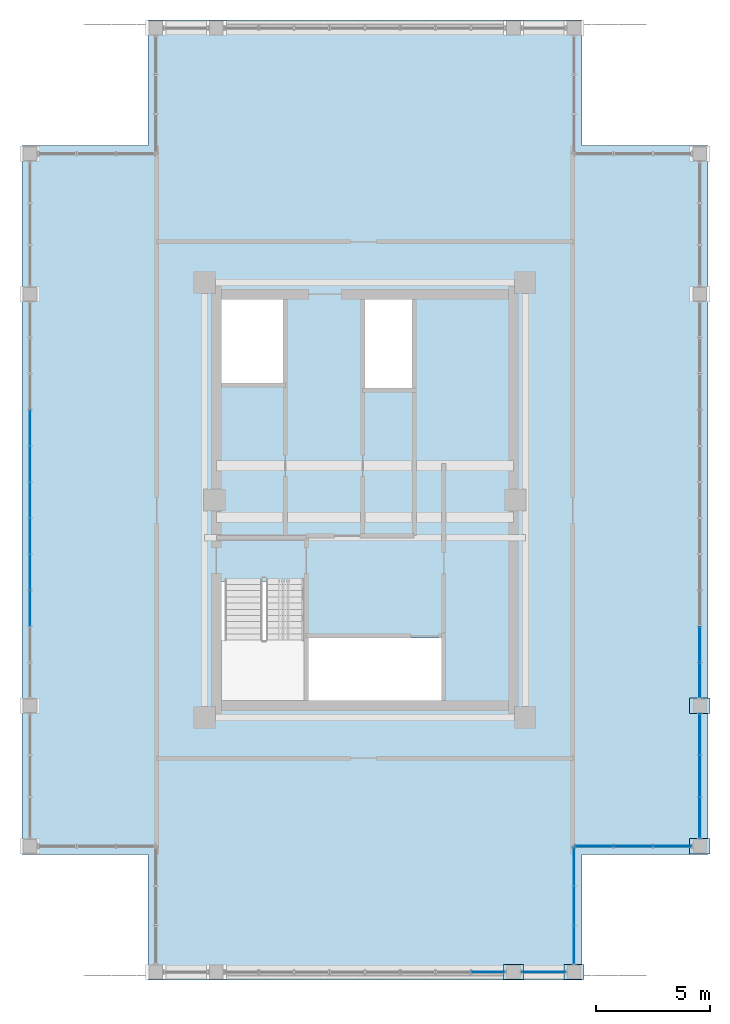
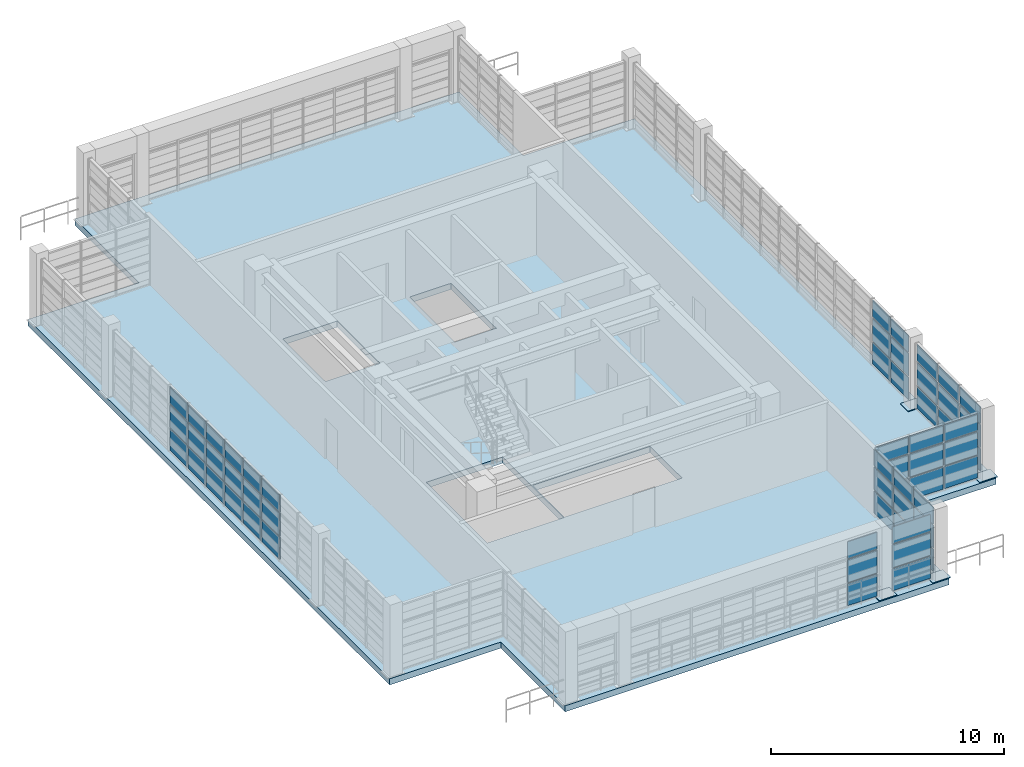
# One storey, part 17 of 24: 61 plates, 1 slab, 7 elements without a shape of their own.
"""IFC4 building model written with IfcOpenShell, lengths in metres."""

from ifc_helpers import new_model, si_unit, direction, frame, origin, origin_2d, place, context, subcontext, project, spatial, polyline, rectangle, outline, extrude, source, transform, mapped, material, layer, layer_set, type_object, element, aggregate, save


model = new_model("IFC4")

# Units and contexts
model_context = context("Model", 3, precision=1e-05, world=origin(), true_north=direction((0.0, 1.0)))
body_context = subcontext(model_context, "Body", "Model", "MODEL_VIEW")
ifc_project = project(units=[si_unit("LENGTHUNIT", "METRE"), si_unit("AREAUNIT", "SQUARE_METRE"), si_unit("VOLUMEUNIT", "CUBIC_METRE"), si_unit("PLANEANGLEUNIT", "RADIAN"), si_unit("MASSUNIT", "GRAM", prefix="KILO")], contexts=[model_context])

# Site, building, storey
site_placement = place(None, origin())
site = spatial("IfcSite", under=ifc_project, at=site_placement, CompositionType="ELEMENT")
building_placement = place(site_placement, origin())
building = spatial("IfcBuilding", under=site, at=building_placement, Name="Saelheon Loggia Tower", CompositionType="ELEMENT")
storey_placement = place(building_placement, frame((0.0, 0.0, 252.199951171875)))
storey = spatial("IfcBuildingStorey", under=building, at=storey_placement, Name="CR1", CompositionType="ELEMENT", Elevation=252.199951171875)

# Slab
ifc_material_1 = material(Name="Concrete C45/55", Category="concrete")
ifc_layer_1 = layer(ifc_material_1, 0.320068359375)
ifc_layer_set_1 = layer_set([ifc_layer_1], Name="Concrete C45/55")
slab_type = type_object("IfcSlabType", Name="Slab_CrownPlant_320", PredefinedType="FLOOR", material=ifc_layer_set_1)
slab_placement = place(storey_placement, frame((0.0, 0.0, -0.320068359375)))
element("IfcSlab", 1, at=slab_placement, inside=storey, type_object=slab_type, Name="CR1 Main Tower Roof and Crown Plant Deck", PredefinedType="FLOOR", context=body_context, shape_type="SweptSolid", body=[
    extrude(outline(polyline([(28.5, 6.0), (47.5, 6.0), (47.5, 11.5), (53.0, 11.5), (53.0, 42.5), (47.5, 42.5), (47.5, 48.0), (28.5, 48.0), (28.5, 42.5), (23.0, 42.5), (23.0, 11.5), (28.5, 11.5), (28.5, 6.0)]), holes=[polyline([(31.699951171875, 23.429931640625), (31.699951171875, 18.199951171875), (35.47998046875, 18.199951171875), (35.47998046875, 23.429931640625), (31.699951171875, 23.429931640625)]), polyline([(35.530029296875, 18.22509765625), (41.35009765625, 18.22509765625), (41.35009765625, 20.9599609375), (35.530029296875, 20.9599609375), (35.530029296875, 18.22509765625)]), polyline([(31.72509765625, 32.1201171875), (34.419921875, 32.1201171875), (34.419921875, 35.77490234375), (31.72509765625, 35.77490234375), (31.72509765625, 32.1201171875)]), polyline([(38.0, 31.89990234375), (40.050048828125, 31.89990234375), (40.050048828125, 35.77490234375), (38.0, 35.77490234375), (38.0, 31.89990234375)])]), origin(), (0.0, 0.0, 1.0), 0.320068359375),
])

# Plates
ifc_material_2 = material(Name="Steel SM355", Category="steel")
ifc_layer_2 = layer(ifc_material_2, 0.035888671875)
ifc_layer_set_2 = layer_set([ifc_layer_2], Name="Steel SM355")
plate_type_1 = type_object("IfcPlateType", Name="CrownFrame_BasePlate_BP1", PredefinedType="USERDEFINED", material=ifc_layer_set_2)
shared_shape_1 = source(origin(), body_context, "Body", "SweptSolid", [
    extrude(rectangle(XDim=0.8798828125, YDim=0.659912109375, at=origin_2d()), origin(), (0.0, 0.0, 1.0), 0.035888671875),
])
for number, where, z_axis, x_axis, name in (
    (2, (44.5, 6.35009765625, 0.0), (0.0, 0.0, 1.0), (1.0, 0.0, 0.0), "CROWN FRAME Column Base Plate TP-SB"),
    (3, (47.14990234375, 6.35009765625, 0.0), (0.0, 0.0, 1.0), (1.0, 0.0, 0.0), "CROWN FRAME Column Base Plate TP-S2"),
    (4, (52.64990234375, 11.85009765625, 0.0), (0.0, 0.0, 1.0), (1.0, 0.0, 0.0), "CROWN FRAME Column Base Plate TP-E1"),
    (5, (52.64990234375, 18.0, 0.0), (0.0, 0.0, 1.0), (1.0, 0.0, 0.0), "CROWN FRAME Column Base Plate TP-EA"),
):
    element("IfcPlate", number, at=place(storey_placement, frame(where, z_axis=z_axis, x_axis=x_axis)), inside=storey, type_object=plate_type_1, Name=name, ObjectType="BASE_PLATE", PredefinedType="USERDEFINED", context=body_context, shape_type="MappedRepresentation", body=[
        mapped(shared_shape_1, transform((0.0, 0.0, 0.0), scale=1.0)),
    ])

# Curtain wall, plates
ifc_material_3 = material(Name="Bronze-Anodised Aluminium and Fritted Ceramic Screen", Category="aluminium")
ifc_layer_3 = layer(ifc_material_3, 0.219970703125)
ifc_layer_set_3 = layer_set([ifc_layer_3], Name="Bronze-Anodised Aluminium and Fritted Ceramic Screen")
curtain_wall_type = type_object("IfcCurtainWallType", Name="CW_CrownScreen", PredefinedType="NOTDEFINED", material=ifc_layer_set_3)
curtain_wall_1_placement = place(storey_placement, origin())
curtain_wall_1 = element("IfcCurtainWall", 6, at=curtain_wall_1_placement, inside=storey, type_object=curtain_wall_type, Name="CR1 Crown Screen Curtain Wall 0-3", PredefinedType="NOTDEFINED")
ifc_material_4 = material(Name="Bronze Ceramic Fritted Spandrel Panel", Category="aluminium")
ifc_layer_4 = layer(ifc_material_4, 0.0380859375)
ifc_layer_set_4 = layer_set([ifc_layer_4], Name="Bronze Ceramic Fritted Spandrel Panel")
plate_type_2 = type_object("IfcPlateType", Name="CW_CrownScreen_Panel", PredefinedType="CURTAIN_PANEL", material=ifc_layer_set_4)
shared_shape_2 = source(origin(), body_context, "Body", "SweptSolid", [
    extrude(rectangle(XDim=1.889892578125, YDim=0.0380859375, at=origin_2d()), origin(), (0.0, 0.0, 1.0), 1.14501953125),
])
plate_1_placement = place(storey_placement, frame((45.824951171875, 6.35009765625, 0.070068359375), z_axis=(0.0, 0.0, 1.0), x_axis=(1.0, 0.0, 0.0)))
plate_1 = element("IfcPlate", 7, at=plate_1_placement, type_object=plate_type_2, Name="CW6 panel 1.1", PredefinedType="CURTAIN_PANEL", context=body_context, shape_type="MappedRepresentation", body=[
    mapped(shared_shape_2, transform((0.0, 0.0, 0.0), scale=1.0)),
])
shared_shape_3 = source(origin(), body_context, "Body", "SweptSolid", [
    extrude(rectangle(XDim=1.889892578125, YDim=0.0380859375, at=origin_2d()), origin(), (0.0, 0.0, 1.0), 1.179931640625),
])
plate_2_placement = place(storey_placement, frame((45.824951171875, 6.35009765625, 1.28515625), z_axis=(0.0, 0.0, 1.0), x_axis=(1.0, 0.0, 0.0)))
plate_2 = element("IfcPlate", 8, at=plate_2_placement, type_object=plate_type_2, Name="CW6 panel 1.2", PredefinedType="CURTAIN_PANEL", context=body_context, shape_type="MappedRepresentation", body=[
    mapped(shared_shape_3, transform((0.0, 0.0, 0.0), scale=1.0)),
])
shared_shape_4 = source(origin(), body_context, "Body", "SweptSolid", [
    extrude(rectangle(XDim=1.889892578125, YDim=0.0380859375, at=origin_2d()), origin(), (0.0, 0.0, 1.0), 0.875),
])
plate_3_placement = place(storey_placement, frame((45.824951171875, 6.35009765625, 2.53515625), z_axis=(0.0, 0.0, 1.0), x_axis=(1.0, 0.0, 0.0)))
plate_3 = element("IfcPlate", 9, at=plate_3_placement, type_object=plate_type_2, Name="CW6 panel 1.3", PredefinedType="CURTAIN_PANEL", context=body_context, shape_type="MappedRepresentation", body=[
    mapped(shared_shape_4, transform((0.0, 0.0, 0.0), scale=1.0)),
])
aggregate(curtain_wall_1, [plate_1, plate_2, plate_3])

curtain_wall_2_placement = place(storey_placement, origin())
curtain_wall_2 = element("IfcCurtainWall", 10, at=curtain_wall_2_placement, inside=storey, type_object=curtain_wall_type, Name="CR1 Crown Screen Curtain Wall 0-2", PredefinedType="NOTDEFINED")
shared_shape_5 = source(origin(), body_context, "Body", "SweptSolid", [
    extrude(rectangle(XDim=1.4423828125, YDim=0.0380859375, at=origin_2d()), origin(), (0.0, 0.0, 1.0), 1.14501953125),
])
plate_4_placement = place(storey_placement, frame((43.398681640625, 6.35009765625, 0.070068359375), z_axis=(0.0, 0.0, 1.0), x_axis=(1.0, 0.0, 0.0)))
plate_4 = element("IfcPlate", 11, at=plate_4_placement, type_object=plate_type_2, Name="CW6 panel 8.1", PredefinedType="CURTAIN_PANEL", context=body_context, shape_type="MappedRepresentation", body=[
    mapped(shared_shape_5, transform((0.0, 0.0, 0.0), scale=1.0)),
])
shared_shape_6 = source(origin(), body_context, "Body", "SweptSolid", [
    extrude(rectangle(XDim=1.4423828125, YDim=0.0380859375, at=origin_2d()), origin(), (0.0, 0.0, 1.0), 1.179931640625),
])
plate_5_placement = place(storey_placement, frame((43.398681640625, 6.35009765625, 1.28515625), z_axis=(0.0, 0.0, 1.0), x_axis=(1.0, 0.0, 0.0)))
plate_5 = element("IfcPlate", 12, at=plate_5_placement, type_object=plate_type_2, Name="CW6 panel 8.2", PredefinedType="CURTAIN_PANEL", context=body_context, shape_type="MappedRepresentation", body=[
    mapped(shared_shape_6, transform((0.0, 0.0, 0.0), scale=1.0)),
])
shared_shape_7 = source(origin(), body_context, "Body", "SweptSolid", [
    extrude(rectangle(XDim=1.4423828125, YDim=0.0380859375, at=origin_2d()), origin(), (0.0, 0.0, 1.0), 0.875),
])
plate_6_placement = place(storey_placement, frame((43.398681640625, 6.35009765625, 2.53515625), z_axis=(0.0, 0.0, 1.0), x_axis=(1.0, 0.0, 0.0)))
plate_6 = element("IfcPlate", 13, at=plate_6_placement, type_object=plate_type_2, Name="CW6 panel 8.3", PredefinedType="CURTAIN_PANEL", context=body_context, shape_type="MappedRepresentation", body=[
    mapped(shared_shape_7, transform((0.0, 0.0, 0.0), scale=1.0)),
])
aggregate(curtain_wall_2, [plate_4, plate_5, plate_6])

curtain_wall_3_placement = place(storey_placement, origin())
curtain_wall_3 = element("IfcCurtainWall", 14, at=curtain_wall_3_placement, inside=storey, type_object=curtain_wall_type, Name="CR1 Crown Screen Curtain Wall 1-1", PredefinedType="NOTDEFINED")
shared_shape_8 = source(origin(), body_context, "Body", "SweptSolid", [
    extrude(rectangle(XDim=1.625, YDim=0.0380859375, at=origin_2d()), origin(), (0.0, 0.0, 1.0), 1.14501953125),
])
plate_7_placement = place(storey_placement, frame((47.14990234375, 7.54248046875, 0.070068359375), z_axis=(0.0, 0.0, 1.0), x_axis=(0.0, 1.0, 0.0)))
plate_7 = element("IfcPlate", 15, at=plate_7_placement, type_object=plate_type_2, Name="CW6 panel 1.1", PredefinedType="CURTAIN_PANEL", context=body_context, shape_type="MappedRepresentation", body=[
    mapped(shared_shape_8, transform((0.0, 0.0, 0.0), scale=1.0)),
])
plate_8_placement = place(storey_placement, frame((47.14990234375, 10.967529296875, 0.070068359375), z_axis=(0.0, 0.0, 1.0), x_axis=(0.0, 1.0, 0.0)))
plate_8 = element("IfcPlate", 16, at=plate_8_placement, type_object=plate_type_2, Name="CW6 panel 3.1", PredefinedType="CURTAIN_PANEL", context=body_context, shape_type="MappedRepresentation", body=[
    mapped(shared_shape_8, transform((0.0, 0.0, 0.0), scale=1.0)),
])

curtain_wall_4_placement = place(storey_placement, origin())
curtain_wall_4 = element("IfcCurtainWall", 17, at=curtain_wall_4_placement, inside=storey, type_object=curtain_wall_type, Name="CR1 Crown Screen Curtain Wall 2-1", PredefinedType="NOTDEFINED")
plate_9_placement = place(storey_placement, frame((48.032470703125, 11.85009765625, 0.070068359375), z_axis=(0.0, 0.0, 1.0), x_axis=(1.0, 0.0, 0.0)))
plate_9 = element("IfcPlate", 18, at=plate_9_placement, type_object=plate_type_2, Name="CW6 panel 1.1", PredefinedType="CURTAIN_PANEL", context=body_context, shape_type="MappedRepresentation", body=[
    mapped(shared_shape_8, transform((0.0, 0.0, 0.0), scale=1.0)),
])
plate_10_placement = place(storey_placement, frame((51.45751953125, 11.85009765625, 0.070068359375), z_axis=(0.0, 0.0, 1.0), x_axis=(1.0, 0.0, 0.0)))
plate_10 = element("IfcPlate", 19, at=plate_10_placement, type_object=plate_type_2, Name="CW6 panel 3.1", PredefinedType="CURTAIN_PANEL", context=body_context, shape_type="MappedRepresentation", body=[
    mapped(shared_shape_8, transform((0.0, 0.0, 0.0), scale=1.0)),
])

# Plate
shared_shape_9 = source(origin(), body_context, "Body", "SweptSolid", [
    extrude(rectangle(XDim=1.625, YDim=0.0380859375, at=origin_2d()), origin(), (0.0, 0.0, 1.0), 1.179931640625),
])
plate_11_placement = place(storey_placement, frame((47.14990234375, 7.54248046875, 1.28515625), z_axis=(0.0, 0.0, 1.0), x_axis=(0.0, 1.0, 0.0)))
plate_11 = element("IfcPlate", 20, at=plate_11_placement, type_object=plate_type_2, Name="CW6 panel 1.2", PredefinedType="CURTAIN_PANEL", context=body_context, shape_type="MappedRepresentation", body=[
    mapped(shared_shape_9, transform((0.0, 0.0, 0.0), scale=1.0)),
])

plate_12_placement = place(storey_placement, frame((47.14990234375, 10.967529296875, 1.28515625), z_axis=(0.0, 0.0, 1.0), x_axis=(0.0, 1.0, 0.0)))
plate_12 = element("IfcPlate", 21, at=plate_12_placement, type_object=plate_type_2, Name="CW6 panel 3.2", PredefinedType="CURTAIN_PANEL", context=body_context, shape_type="MappedRepresentation", body=[
    mapped(shared_shape_9, transform((0.0, 0.0, 0.0), scale=1.0)),
])

plate_13_placement = place(storey_placement, frame((48.032470703125, 11.85009765625, 1.28515625), z_axis=(0.0, 0.0, 1.0), x_axis=(1.0, 0.0, 0.0)))
plate_13 = element("IfcPlate", 22, at=plate_13_placement, type_object=plate_type_2, Name="CW6 panel 1.2", PredefinedType="CURTAIN_PANEL", context=body_context, shape_type="MappedRepresentation", body=[
    mapped(shared_shape_9, transform((0.0, 0.0, 0.0), scale=1.0)),
])

plate_14_placement = place(storey_placement, frame((51.45751953125, 11.85009765625, 1.28515625), z_axis=(0.0, 0.0, 1.0), x_axis=(1.0, 0.0, 0.0)))
plate_14 = element("IfcPlate", 23, at=plate_14_placement, type_object=plate_type_2, Name="CW6 panel 3.2", PredefinedType="CURTAIN_PANEL", context=body_context, shape_type="MappedRepresentation", body=[
    mapped(shared_shape_9, transform((0.0, 0.0, 0.0), scale=1.0)),
])

shared_shape_10 = source(origin(), body_context, "Body", "SweptSolid", [
    extrude(rectangle(XDim=1.625, YDim=0.0380859375, at=origin_2d()), origin(), (0.0, 0.0, 1.0), 0.875),
])
plate_15_placement = place(storey_placement, frame((47.14990234375, 7.54248046875, 2.53515625), z_axis=(0.0, 0.0, 1.0), x_axis=(0.0, 1.0, 0.0)))
plate_15 = element("IfcPlate", 24, at=plate_15_placement, type_object=plate_type_2, Name="CW6 panel 1.3", PredefinedType="CURTAIN_PANEL", context=body_context, shape_type="MappedRepresentation", body=[
    mapped(shared_shape_10, transform((0.0, 0.0, 0.0), scale=1.0)),
])

plate_16_placement = place(storey_placement, frame((47.14990234375, 10.967529296875, 2.53515625), z_axis=(0.0, 0.0, 1.0), x_axis=(0.0, 1.0, 0.0)))
plate_16 = element("IfcPlate", 25, at=plate_16_placement, type_object=plate_type_2, Name="CW6 panel 3.3", PredefinedType="CURTAIN_PANEL", context=body_context, shape_type="MappedRepresentation", body=[
    mapped(shared_shape_10, transform((0.0, 0.0, 0.0), scale=1.0)),
])

plate_17_placement = place(storey_placement, frame((48.032470703125, 11.85009765625, 2.53515625), z_axis=(0.0, 0.0, 1.0), x_axis=(1.0, 0.0, 0.0)))
plate_17 = element("IfcPlate", 26, at=plate_17_placement, type_object=plate_type_2, Name="CW6 panel 1.3", PredefinedType="CURTAIN_PANEL", context=body_context, shape_type="MappedRepresentation", body=[
    mapped(shared_shape_10, transform((0.0, 0.0, 0.0), scale=1.0)),
])

plate_18_placement = place(storey_placement, frame((51.45751953125, 11.85009765625, 2.53515625), z_axis=(0.0, 0.0, 1.0), x_axis=(1.0, 0.0, 0.0)))
plate_18 = element("IfcPlate", 27, at=plate_18_placement, type_object=plate_type_2, Name="CW6 panel 3.3", PredefinedType="CURTAIN_PANEL", context=body_context, shape_type="MappedRepresentation", body=[
    mapped(shared_shape_10, transform((0.0, 0.0, 0.0), scale=1.0)),
])

shared_shape_11 = source(origin(), body_context, "Body", "SweptSolid", [
    extrude(rectangle(XDim=1.659912109375, YDim=0.0380859375, at=origin_2d()), origin(), (0.0, 0.0, 1.0), 1.14501953125),
])
plate_19_placement = place(storey_placement, frame((47.14990234375, 9.2548828125, 0.070068359375), z_axis=(0.0, 0.0, 1.0), x_axis=(0.0, 1.0, 0.0)))
plate_19 = element("IfcPlate", 28, at=plate_19_placement, type_object=plate_type_2, Name="CW6 panel 2.1", PredefinedType="CURTAIN_PANEL", context=body_context, shape_type="MappedRepresentation", body=[
    mapped(shared_shape_11, transform((0.0, 0.0, 0.0), scale=1.0)),
])

plate_20_placement = place(storey_placement, frame((49.7451171875, 11.85009765625, 0.070068359375), z_axis=(0.0, 0.0, 1.0), x_axis=(1.0, 0.0, 0.0)))
plate_20 = element("IfcPlate", 29, at=plate_20_placement, type_object=plate_type_2, Name="CW6 panel 2.1", PredefinedType="CURTAIN_PANEL", context=body_context, shape_type="MappedRepresentation", body=[
    mapped(shared_shape_11, transform((0.0, 0.0, 0.0), scale=1.0)),
])

shared_shape_12 = source(origin(), body_context, "Body", "SweptSolid", [
    extrude(rectangle(XDim=1.659912109375, YDim=0.0380859375, at=origin_2d()), origin(), (0.0, 0.0, 1.0), 1.179931640625),
])
plate_21_placement = place(storey_placement, frame((47.14990234375, 9.2548828125, 1.28515625), z_axis=(0.0, 0.0, 1.0), x_axis=(0.0, 1.0, 0.0)))
plate_21 = element("IfcPlate", 30, at=plate_21_placement, type_object=plate_type_2, Name="CW6 panel 2.2", PredefinedType="CURTAIN_PANEL", context=body_context, shape_type="MappedRepresentation", body=[
    mapped(shared_shape_12, transform((0.0, 0.0, 0.0), scale=1.0)),
])

plate_22_placement = place(storey_placement, frame((49.7451171875, 11.85009765625, 1.28515625), z_axis=(0.0, 0.0, 1.0), x_axis=(1.0, 0.0, 0.0)))
plate_22 = element("IfcPlate", 31, at=plate_22_placement, type_object=plate_type_2, Name="CW6 panel 2.2", PredefinedType="CURTAIN_PANEL", context=body_context, shape_type="MappedRepresentation", body=[
    mapped(shared_shape_12, transform((0.0, 0.0, 0.0), scale=1.0)),
])

shared_shape_13 = source(origin(), body_context, "Body", "SweptSolid", [
    extrude(rectangle(XDim=1.659912109375, YDim=0.0380859375, at=origin_2d()), origin(), (0.0, 0.0, 1.0), 0.875),
])
plate_23_placement = place(storey_placement, frame((47.14990234375, 9.2548828125, 2.53515625), z_axis=(0.0, 0.0, 1.0), x_axis=(0.0, 1.0, 0.0)))
plate_23 = element("IfcPlate", 32, at=plate_23_placement, type_object=plate_type_2, Name="CW6 panel 2.3", PredefinedType="CURTAIN_PANEL", context=body_context, shape_type="MappedRepresentation", body=[
    mapped(shared_shape_13, transform((0.0, 0.0, 0.0), scale=1.0)),
])

aggregate(curtain_wall_3, [plate_7, plate_11, plate_15, plate_19, plate_21, plate_23, plate_8, plate_12, plate_16])

plate_24_placement = place(storey_placement, frame((49.7451171875, 11.85009765625, 2.53515625), z_axis=(0.0, 0.0, 1.0), x_axis=(1.0, 0.0, 0.0)))
plate_24 = element("IfcPlate", 33, at=plate_24_placement, type_object=plate_type_2, Name="CW6 panel 2.3", PredefinedType="CURTAIN_PANEL", context=body_context, shape_type="MappedRepresentation", body=[
    mapped(shared_shape_13, transform((0.0, 0.0, 0.0), scale=1.0)),
])

aggregate(curtain_wall_4, [plate_9, plate_13, plate_17, plate_20, plate_22, plate_24, plate_10, plate_14, plate_18])

# Curtain wall, plates
curtain_wall_5_placement = place(storey_placement, origin())
curtain_wall_5 = element("IfcCurtainWall", 34, at=curtain_wall_5_placement, inside=storey, type_object=curtain_wall_type, Name="CR1 Crown Screen Curtain Wall 3-1", PredefinedType="NOTDEFINED")
shared_shape_14 = source(origin(), body_context, "Body", "SweptSolid", [
    extrude(rectangle(XDim=1.73828125, YDim=0.0380859375, at=origin_2d()), origin(), (0.0, 0.0, 1.0), 1.14501953125),
])
plate_25_placement = place(storey_placement, frame((52.64990234375, 13.09912109375, 0.070068359375), z_axis=(0.0, 0.0, 1.0), x_axis=(0.0, 1.0, 0.0)))
plate_25 = element("IfcPlate", 35, at=plate_25_placement, type_object=plate_type_2, Name="CW6 panel 1.1", PredefinedType="CURTAIN_PANEL", context=body_context, shape_type="MappedRepresentation", body=[
    mapped(shared_shape_14, transform((0.0, 0.0, 0.0), scale=1.0)),
])
plate_26_placement = place(storey_placement, frame((52.64990234375, 16.750732421875, 0.070068359375), z_axis=(0.0, 0.0, 1.0), x_axis=(0.0, 1.0, 0.0)))
plate_26 = element("IfcPlate", 36, at=plate_26_placement, type_object=plate_type_2, Name="CW6 panel 3.1", PredefinedType="CURTAIN_PANEL", context=body_context, shape_type="MappedRepresentation", body=[
    mapped(shared_shape_14, transform((0.0, 0.0, 0.0), scale=1.0)),
])
shared_shape_15 = source(origin(), body_context, "Body", "SweptSolid", [
    extrude(rectangle(XDim=1.73828125, YDim=0.0380859375, at=origin_2d()), origin(), (0.0, 0.0, 1.0), 1.179931640625),
])
plate_27_placement = place(storey_placement, frame((52.64990234375, 13.09912109375, 1.28515625), z_axis=(0.0, 0.0, 1.0), x_axis=(0.0, 1.0, 0.0)))
plate_27 = element("IfcPlate", 37, at=plate_27_placement, type_object=plate_type_2, Name="CW6 panel 1.2", PredefinedType="CURTAIN_PANEL", context=body_context, shape_type="MappedRepresentation", body=[
    mapped(shared_shape_15, transform((0.0, 0.0, 0.0), scale=1.0)),
])
plate_28_placement = place(storey_placement, frame((52.64990234375, 16.750732421875, 1.28515625), z_axis=(0.0, 0.0, 1.0), x_axis=(0.0, 1.0, 0.0)))
plate_28 = element("IfcPlate", 38, at=plate_28_placement, type_object=plate_type_2, Name="CW6 panel 3.2", PredefinedType="CURTAIN_PANEL", context=body_context, shape_type="MappedRepresentation", body=[
    mapped(shared_shape_15, transform((0.0, 0.0, 0.0), scale=1.0)),
])
shared_shape_16 = source(origin(), body_context, "Body", "SweptSolid", [
    extrude(rectangle(XDim=1.73828125, YDim=0.0380859375, at=origin_2d()), origin(), (0.0, 0.0, 1.0), 0.875),
])
plate_29_placement = place(storey_placement, frame((52.64990234375, 13.09912109375, 2.53515625), z_axis=(0.0, 0.0, 1.0), x_axis=(0.0, 1.0, 0.0)))
plate_29 = element("IfcPlate", 39, at=plate_29_placement, type_object=plate_type_2, Name="CW6 panel 1.3", PredefinedType="CURTAIN_PANEL", context=body_context, shape_type="MappedRepresentation", body=[
    mapped(shared_shape_16, transform((0.0, 0.0, 0.0), scale=1.0)),
])
plate_30_placement = place(storey_placement, frame((52.64990234375, 16.750732421875, 2.53515625), z_axis=(0.0, 0.0, 1.0), x_axis=(0.0, 1.0, 0.0)))
plate_30 = element("IfcPlate", 40, at=plate_30_placement, type_object=plate_type_2, Name="CW6 panel 3.3", PredefinedType="CURTAIN_PANEL", context=body_context, shape_type="MappedRepresentation", body=[
    mapped(shared_shape_16, transform((0.0, 0.0, 0.0), scale=1.0)),
])
shared_shape_17 = source(origin(), body_context, "Body", "SweptSolid", [
    extrude(rectangle(XDim=1.7734375, YDim=0.0380859375, at=origin_2d()), origin(), (0.0, 0.0, 1.0), 1.14501953125),
])
plate_31_placement = place(storey_placement, frame((52.64990234375, 14.925048828125, 0.070068359375), z_axis=(0.0, 0.0, 1.0), x_axis=(0.0, 1.0, 0.0)))
plate_31 = element("IfcPlate", 41, at=plate_31_placement, type_object=plate_type_2, Name="CW6 panel 2.1", PredefinedType="CURTAIN_PANEL", context=body_context, shape_type="MappedRepresentation", body=[
    mapped(shared_shape_17, transform((0.0, 0.0, 0.0), scale=1.0)),
])
shared_shape_18 = source(origin(), body_context, "Body", "SweptSolid", [
    extrude(rectangle(XDim=1.7734375, YDim=0.0380859375, at=origin_2d()), origin(), (0.0, 0.0, 1.0), 1.179931640625),
])
plate_32_placement = place(storey_placement, frame((52.64990234375, 14.925048828125, 1.28515625), z_axis=(0.0, 0.0, 1.0), x_axis=(0.0, 1.0, 0.0)))
plate_32 = element("IfcPlate", 42, at=plate_32_placement, type_object=plate_type_2, Name="CW6 panel 2.2", PredefinedType="CURTAIN_PANEL", context=body_context, shape_type="MappedRepresentation", body=[
    mapped(shared_shape_18, transform((0.0, 0.0, 0.0), scale=1.0)),
])
shared_shape_19 = source(origin(), body_context, "Body", "SweptSolid", [
    extrude(rectangle(XDim=1.7734375, YDim=0.0380859375, at=origin_2d()), origin(), (0.0, 0.0, 1.0), 0.875),
])
plate_33_placement = place(storey_placement, frame((52.64990234375, 14.925048828125, 2.53515625), z_axis=(0.0, 0.0, 1.0), x_axis=(0.0, 1.0, 0.0)))
plate_33 = element("IfcPlate", 43, at=plate_33_placement, type_object=plate_type_2, Name="CW6 panel 2.3", PredefinedType="CURTAIN_PANEL", context=body_context, shape_type="MappedRepresentation", body=[
    mapped(shared_shape_19, transform((0.0, 0.0, 0.0), scale=1.0)),
])
aggregate(curtain_wall_5, [plate_25, plate_27, plate_29, plate_31, plate_32, plate_33, plate_26, plate_28, plate_30])

curtain_wall_6_placement = place(storey_placement, origin())
curtain_wall_6 = element("IfcCurtainWall", 44, at=curtain_wall_6_placement, inside=storey, type_object=curtain_wall_type, Name="CR1 Crown Screen Curtain Wall 3-2", PredefinedType="NOTDEFINED")
shared_shape_20 = source(origin(), body_context, "Body", "SweptSolid", [
    extrude(rectangle(XDim=1.47509765625, YDim=0.0380859375, at=origin_2d()), origin(), (0.0, 0.0, 1.0), 1.14501953125),
])
plate_34_placement = place(storey_placement, frame((52.64990234375, 19.117431640625, 0.070068359375), z_axis=(0.0, 0.0, 1.0), x_axis=(0.0, 1.0, 0.0)))
plate_34 = element("IfcPlate", 45, at=plate_34_placement, type_object=plate_type_2, Name="CW6 panel 1.1", PredefinedType="CURTAIN_PANEL", context=body_context, shape_type="MappedRepresentation", body=[
    mapped(shared_shape_20, transform((0.0, 0.0, 0.0), scale=1.0)),
])
shared_shape_21 = source(origin(), body_context, "Body", "SweptSolid", [
    extrude(rectangle(XDim=1.47509765625, YDim=0.0380859375, at=origin_2d()), origin(), (0.0, 0.0, 1.0), 1.179931640625),
])
plate_35_placement = place(storey_placement, frame((52.64990234375, 19.117431640625, 1.28515625), z_axis=(0.0, 0.0, 1.0), x_axis=(0.0, 1.0, 0.0)))
plate_35 = element("IfcPlate", 46, at=plate_35_placement, type_object=plate_type_2, Name="CW6 panel 1.2", PredefinedType="CURTAIN_PANEL", context=body_context, shape_type="MappedRepresentation", body=[
    mapped(shared_shape_21, transform((0.0, 0.0, 0.0), scale=1.0)),
])
shared_shape_22 = source(origin(), body_context, "Body", "SweptSolid", [
    extrude(rectangle(XDim=1.47509765625, YDim=0.0380859375, at=origin_2d()), origin(), (0.0, 0.0, 1.0), 0.875),
])
plate_36_placement = place(storey_placement, frame((52.64990234375, 19.117431640625, 2.53515625), z_axis=(0.0, 0.0, 1.0), x_axis=(0.0, 1.0, 0.0)))
plate_36 = element("IfcPlate", 47, at=plate_36_placement, type_object=plate_type_2, Name="CW6 panel 1.3", PredefinedType="CURTAIN_PANEL", context=body_context, shape_type="MappedRepresentation", body=[
    mapped(shared_shape_22, transform((0.0, 0.0, 0.0), scale=1.0)),
])
shared_shape_23 = source(origin(), body_context, "Body", "SweptSolid", [
    extrude(rectangle(XDim=1.510009765625, YDim=0.0380859375, at=origin_2d()), origin(), (0.0, 0.0, 1.0), 1.14501953125),
])
plate_37_placement = place(storey_placement, frame((52.64990234375, 20.679931640625, 0.070068359375), z_axis=(0.0, 0.0, 1.0), x_axis=(0.0, 1.0, 0.0)))
plate_37 = element("IfcPlate", 48, at=plate_37_placement, type_object=plate_type_2, Name="CW6 panel 2.1", PredefinedType="CURTAIN_PANEL", context=body_context, shape_type="MappedRepresentation", body=[
    mapped(shared_shape_23, transform((0.0, 0.0, 0.0), scale=1.0)),
])

curtain_wall_7_placement = place(storey_placement, origin())
curtain_wall_7 = element("IfcCurtainWall", 49, at=curtain_wall_7_placement, inside=storey, type_object=curtain_wall_type, Name="CR1 Crown Screen Curtain Wall 9-2", PredefinedType="NOTDEFINED")
plate_38_placement = place(storey_placement, frame((23.35009765625, 30.159912109375, 0.070068359375), z_axis=(0.0, 0.0, 1.0), x_axis=(0.0, -1.0, 0.0)))
plate_38 = element("IfcPlate", 50, at=plate_38_placement, type_object=plate_type_2, Name="CW6 panel 4.1", PredefinedType="CURTAIN_PANEL", context=body_context, shape_type="MappedRepresentation", body=[
    mapped(shared_shape_23, transform((0.0, 0.0, 0.0), scale=1.0)),
])
plate_39_placement = place(storey_placement, frame((23.35009765625, 28.580078125, 0.070068359375), z_axis=(0.0, 0.0, 1.0), x_axis=(0.0, -1.0, 0.0)))
plate_39 = element("IfcPlate", 51, at=plate_39_placement, type_object=plate_type_2, Name="CW6 panel 5.1", PredefinedType="CURTAIN_PANEL", context=body_context, shape_type="MappedRepresentation", body=[
    mapped(shared_shape_23, transform((0.0, 0.0, 0.0), scale=1.0)),
])
plate_40_placement = place(storey_placement, frame((23.35009765625, 27.0, 0.070068359375), z_axis=(0.0, 0.0, 1.0), x_axis=(0.0, -1.0, 0.0)))
plate_40 = element("IfcPlate", 52, at=plate_40_placement, type_object=plate_type_2, Name="CW6 panel 6.1", PredefinedType="CURTAIN_PANEL", context=body_context, shape_type="MappedRepresentation", body=[
    mapped(shared_shape_23, transform((0.0, 0.0, 0.0), scale=1.0)),
])
plate_41_placement = place(storey_placement, frame((23.35009765625, 25.419921875, 0.070068359375), z_axis=(0.0, 0.0, 1.0), x_axis=(0.0, -1.0, 0.0)))
plate_41 = element("IfcPlate", 53, at=plate_41_placement, type_object=plate_type_2, Name="CW6 panel 7.1", PredefinedType="CURTAIN_PANEL", context=body_context, shape_type="MappedRepresentation", body=[
    mapped(shared_shape_23, transform((0.0, 0.0, 0.0), scale=1.0)),
])
plate_42_placement = place(storey_placement, frame((23.35009765625, 23.840087890625, 0.070068359375), z_axis=(0.0, 0.0, 1.0), x_axis=(0.0, -1.0, 0.0)))
plate_42 = element("IfcPlate", 54, at=plate_42_placement, type_object=plate_type_2, Name="CW6 panel 8.1", PredefinedType="CURTAIN_PANEL", context=body_context, shape_type="MappedRepresentation", body=[
    mapped(shared_shape_23, transform((0.0, 0.0, 0.0), scale=1.0)),
])
plate_43_placement = place(storey_placement, frame((23.35009765625, 22.260009765625, 0.070068359375), z_axis=(0.0, 0.0, 1.0), x_axis=(0.0, -1.0, 0.0)))
plate_43 = element("IfcPlate", 55, at=plate_43_placement, type_object=plate_type_2, Name="CW6 panel 9.1", PredefinedType="CURTAIN_PANEL", context=body_context, shape_type="MappedRepresentation", body=[
    mapped(shared_shape_23, transform((0.0, 0.0, 0.0), scale=1.0)),
])

# Plate
shared_shape_24 = source(origin(), body_context, "Body", "SweptSolid", [
    extrude(rectangle(XDim=1.510009765625, YDim=0.0380859375, at=origin_2d()), origin(), (0.0, 0.0, 1.0), 1.179931640625),
])
plate_44_placement = place(storey_placement, frame((52.64990234375, 20.679931640625, 1.28515625), z_axis=(0.0, 0.0, 1.0), x_axis=(0.0, 1.0, 0.0)))
plate_44 = element("IfcPlate", 56, at=plate_44_placement, type_object=plate_type_2, Name="CW6 panel 2.2", PredefinedType="CURTAIN_PANEL", context=body_context, shape_type="MappedRepresentation", body=[
    mapped(shared_shape_24, transform((0.0, 0.0, 0.0), scale=1.0)),
])

plate_45_placement = place(storey_placement, frame((23.35009765625, 30.159912109375, 1.28515625), z_axis=(0.0, 0.0, 1.0), x_axis=(0.0, -1.0, 0.0)))
plate_45 = element("IfcPlate", 57, at=plate_45_placement, type_object=plate_type_2, Name="CW6 panel 4.2", PredefinedType="CURTAIN_PANEL", context=body_context, shape_type="MappedRepresentation", body=[
    mapped(shared_shape_24, transform((0.0, 0.0, 0.0), scale=1.0)),
])

plate_46_placement = place(storey_placement, frame((23.35009765625, 28.580078125, 1.28515625), z_axis=(0.0, 0.0, 1.0), x_axis=(0.0, -1.0, 0.0)))
plate_46 = element("IfcPlate", 58, at=plate_46_placement, type_object=plate_type_2, Name="CW6 panel 5.2", PredefinedType="CURTAIN_PANEL", context=body_context, shape_type="MappedRepresentation", body=[
    mapped(shared_shape_24, transform((0.0, 0.0, 0.0), scale=1.0)),
])

plate_47_placement = place(storey_placement, frame((23.35009765625, 27.0, 1.28515625), z_axis=(0.0, 0.0, 1.0), x_axis=(0.0, -1.0, 0.0)))
plate_47 = element("IfcPlate", 59, at=plate_47_placement, type_object=plate_type_2, Name="CW6 panel 6.2", PredefinedType="CURTAIN_PANEL", context=body_context, shape_type="MappedRepresentation", body=[
    mapped(shared_shape_24, transform((0.0, 0.0, 0.0), scale=1.0)),
])

plate_48_placement = place(storey_placement, frame((23.35009765625, 25.419921875, 1.28515625), z_axis=(0.0, 0.0, 1.0), x_axis=(0.0, -1.0, 0.0)))
plate_48 = element("IfcPlate", 60, at=plate_48_placement, type_object=plate_type_2, Name="CW6 panel 7.2", PredefinedType="CURTAIN_PANEL", context=body_context, shape_type="MappedRepresentation", body=[
    mapped(shared_shape_24, transform((0.0, 0.0, 0.0), scale=1.0)),
])

plate_49_placement = place(storey_placement, frame((23.35009765625, 23.840087890625, 1.28515625), z_axis=(0.0, 0.0, 1.0), x_axis=(0.0, -1.0, 0.0)))
plate_49 = element("IfcPlate", 61, at=plate_49_placement, type_object=plate_type_2, Name="CW6 panel 8.2", PredefinedType="CURTAIN_PANEL", context=body_context, shape_type="MappedRepresentation", body=[
    mapped(shared_shape_24, transform((0.0, 0.0, 0.0), scale=1.0)),
])

plate_50_placement = place(storey_placement, frame((23.35009765625, 22.260009765625, 1.28515625), z_axis=(0.0, 0.0, 1.0), x_axis=(0.0, -1.0, 0.0)))
plate_50 = element("IfcPlate", 62, at=plate_50_placement, type_object=plate_type_2, Name="CW6 panel 9.2", PredefinedType="CURTAIN_PANEL", context=body_context, shape_type="MappedRepresentation", body=[
    mapped(shared_shape_24, transform((0.0, 0.0, 0.0), scale=1.0)),
])

shared_shape_25 = source(origin(), body_context, "Body", "SweptSolid", [
    extrude(rectangle(XDim=1.510009765625, YDim=0.0380859375, at=origin_2d()), origin(), (0.0, 0.0, 1.0), 0.875),
])
plate_51_placement = place(storey_placement, frame((52.64990234375, 20.679931640625, 2.53515625), z_axis=(0.0, 0.0, 1.0), x_axis=(0.0, 1.0, 0.0)))
plate_51 = element("IfcPlate", 63, at=plate_51_placement, type_object=plate_type_2, Name="CW6 panel 2.3", PredefinedType="CURTAIN_PANEL", context=body_context, shape_type="MappedRepresentation", body=[
    mapped(shared_shape_25, transform((0.0, 0.0, 0.0), scale=1.0)),
])

aggregate(curtain_wall_6, [plate_34, plate_35, plate_36, plate_37, plate_44, plate_51])

plate_52_placement = place(storey_placement, frame((23.35009765625, 30.159912109375, 2.53515625), z_axis=(0.0, 0.0, 1.0), x_axis=(0.0, -1.0, 0.0)))
plate_52 = element("IfcPlate", 64, at=plate_52_placement, type_object=plate_type_2, Name="CW6 panel 4.3", PredefinedType="CURTAIN_PANEL", context=body_context, shape_type="MappedRepresentation", body=[
    mapped(shared_shape_25, transform((0.0, 0.0, 0.0), scale=1.0)),
])

plate_53_placement = place(storey_placement, frame((23.35009765625, 28.580078125, 2.53515625), z_axis=(0.0, 0.0, 1.0), x_axis=(0.0, -1.0, 0.0)))
plate_53 = element("IfcPlate", 65, at=plate_53_placement, type_object=plate_type_2, Name="CW6 panel 5.3", PredefinedType="CURTAIN_PANEL", context=body_context, shape_type="MappedRepresentation", body=[
    mapped(shared_shape_25, transform((0.0, 0.0, 0.0), scale=1.0)),
])

plate_54_placement = place(storey_placement, frame((23.35009765625, 27.0, 2.53515625), z_axis=(0.0, 0.0, 1.0), x_axis=(0.0, -1.0, 0.0)))
plate_54 = element("IfcPlate", 66, at=plate_54_placement, type_object=plate_type_2, Name="CW6 panel 6.3", PredefinedType="CURTAIN_PANEL", context=body_context, shape_type="MappedRepresentation", body=[
    mapped(shared_shape_25, transform((0.0, 0.0, 0.0), scale=1.0)),
])

plate_55_placement = place(storey_placement, frame((23.35009765625, 25.419921875, 2.53515625), z_axis=(0.0, 0.0, 1.0), x_axis=(0.0, -1.0, 0.0)))
plate_55 = element("IfcPlate", 67, at=plate_55_placement, type_object=plate_type_2, Name="CW6 panel 7.3", PredefinedType="CURTAIN_PANEL", context=body_context, shape_type="MappedRepresentation", body=[
    mapped(shared_shape_25, transform((0.0, 0.0, 0.0), scale=1.0)),
])

plate_56_placement = place(storey_placement, frame((23.35009765625, 23.840087890625, 2.53515625), z_axis=(0.0, 0.0, 1.0), x_axis=(0.0, -1.0, 0.0)))
plate_56 = element("IfcPlate", 68, at=plate_56_placement, type_object=plate_type_2, Name="CW6 panel 8.3", PredefinedType="CURTAIN_PANEL", context=body_context, shape_type="MappedRepresentation", body=[
    mapped(shared_shape_25, transform((0.0, 0.0, 0.0), scale=1.0)),
])

plate_57_placement = place(storey_placement, frame((23.35009765625, 22.260009765625, 2.53515625), z_axis=(0.0, 0.0, 1.0), x_axis=(0.0, -1.0, 0.0)))
plate_57 = element("IfcPlate", 69, at=plate_57_placement, type_object=plate_type_2, Name="CW6 panel 9.3", PredefinedType="CURTAIN_PANEL", context=body_context, shape_type="MappedRepresentation", body=[
    mapped(shared_shape_25, transform((0.0, 0.0, 0.0), scale=1.0)),
])

aggregate(curtain_wall_7, [plate_38, plate_45, plate_52, plate_39, plate_46, plate_53, plate_40, plate_47, plate_54, plate_41, plate_48, plate_55, plate_42, plate_49, plate_56, plate_43, plate_50, plate_57])

save(model, "model.ifc")
